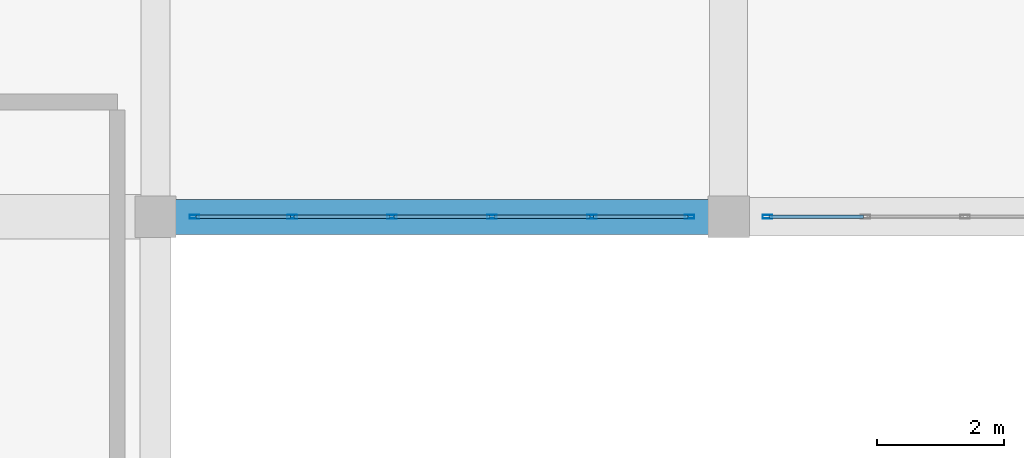
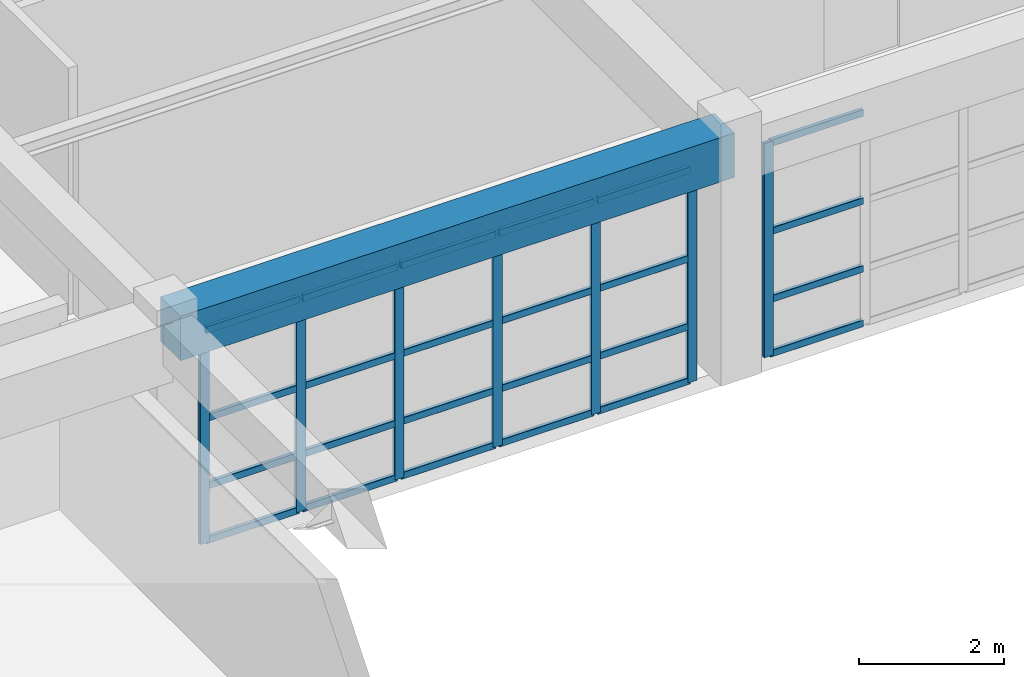
# One storey, part 46 of 133: 31 members, 1 beam, 2 elements without a shape of their own.
"""IFC4 building model written with IfcOpenShell, lengths in metres."""

import ifcopenshell
import ifcopenshell.guid

model = None  # the IFC model being written
_history = None  # IfcOwnerHistory: only IFC2X3 demands one
_inside = {}  # id of a spatial element -> (the spatial element, [elements in it])
_under = {}  # id of a project, library or spatial element -> (it, [spatial elements below it])
_declared = {}  # id of a project -> (the project, [libraries it declares])
_typed = {}  # id of a type object -> (the type object, [elements of that type])
_made_of = {}  # id of a material, layer set ... -> (it, [elements and type objects made of it])


def new_model(schema):
    """Start an empty IFC model of exactly this schema.

    Asked for "IFC4X3", IfcOpenShell would pick the latest addendum, in which some entities
    have other attributes; the version numbers below select the first issue.
    IFC2X3 requires an IfcOwnerHistory on every rooted entity: one is made here for all.
    """
    global model, _history
    if schema == "IFC4X3":
        model = ifcopenshell.file(schema_version=(4, 3, 0, 0))
    else:
        model = ifcopenshell.file(schema=schema)
    _inside.clear()
    _under.clear()
    _declared.clear()
    _typed.clear()
    _made_of.clear()
    _history = None
    if model.schema == "IFC2X3":
        org = make("IfcOrganization", Name="unknown")
        user = make(
            "IfcPersonAndOrganization",
            ThePerson=make("IfcPerson", FamilyName="unknown"),
            TheOrganization=org,
        )
        app = make(
            "IfcApplication",
            ApplicationDeveloper=org,
            Version="unknown",
            ApplicationFullName="unknown",
            ApplicationIdentifier="unknown",
        )
        _history = make(
            "IfcOwnerHistory",
            OwningUser=user,
            OwningApplication=app,
            ChangeAction="ADDED",
            CreationDate=0,
        )
    return model


def make(cls, **values):
    """One entity of the class cls with the attributes given. An attribute that is None is left unset."""
    return model.create_entity(
        cls, **{name: value for name, value in values.items() if value is not None}
    )


def rooted(cls, **values):
    """An entity with a GlobalId (a new one), such as an element, a storey or a relation."""
    return make(cls, GlobalId=ifcopenshell.guid.new(), OwnerHistory=_history, **values)


def si_unit(unit_type, name, prefix=None):
    """IfcSIUnit, for example si_unit("LENGTHUNIT", "METRE", prefix="MILLI")."""
    return make("IfcSIUnit", UnitType=unit_type, Prefix=prefix, Name=name)


def assignment(units):
    """IfcUnitAssignment: the units of a project."""
    return None if units is None else make("IfcUnitAssignment", Units=units)


def point(xyz):
    """IfcCartesianPoint."""
    return None if xyz is None else make("IfcCartesianPoint", Coordinates=xyz)


def direction(xyz):
    """IfcDirection."""
    return None if xyz is None else make("IfcDirection", DirectionRatios=xyz)


def frame(location, z_axis=None, x_axis=None):
    """IfcAxis2Placement3D, a coordinate frame: its origin and axes. An axis left out is left unset."""
    return make(
        "IfcAxis2Placement3D",
        Location=point(location),
        Axis=direction(z_axis),
        RefDirection=direction(x_axis),
    )


def frame_2d(location, x_axis=None):
    """IfcAxis2Placement2D, a coordinate frame in the plane: its origin and x axis."""
    return make(
        "IfcAxis2Placement2D", Location=point(location), RefDirection=direction(x_axis)
    )


def origin():
    """The frame at (0, 0, 0) with its axes left unset."""
    return frame((0.0, 0.0, 0.0))


def origin_2d():
    """The frame at (0, 0) in the plane with its x axis left unset."""
    return frame_2d((0.0, 0.0))


def place(relative_to, where):
    """IfcLocalPlacement: puts the frame where relative to a parent placement (None: the world)."""
    return make(
        "IfcLocalPlacement", PlacementRelTo=relative_to, RelativePlacement=where
    )


def context(
    kind, dimensions, precision=None, world=None, true_north=None, identifier=None
):
    """IfcGeometricRepresentationContext, for example the 3D "Model" context."""
    return make(
        "IfcGeometricRepresentationContext",
        ContextIdentifier=identifier,
        ContextType=kind,
        CoordinateSpaceDimension=dimensions,
        Precision=precision,
        WorldCoordinateSystem=world,
        TrueNorth=true_north,
    )


def subcontext(parent, identifier, kind, view, scale=None):
    """IfcGeometricRepresentationSubContext, for example "Body" below "Model"."""
    return make(
        "IfcGeometricRepresentationSubContext",
        ContextIdentifier=identifier,
        ContextType=kind,
        ParentContext=parent,
        TargetScale=scale,
        TargetView=view,
    )


def project(units=None, contexts=None):
    """IfcProject with its units and contexts."""
    return rooted(
        "IfcProject",
        Name="project",
        RepresentationContexts=contexts,
        UnitsInContext=assignment(units),
    )


def spatial(cls, under=None, at=None, **own):
    """A site, building, storey or space (cls), placed at a placement, below another one or the project."""
    s = rooted(cls, ObjectPlacement=at, **own)
    if under is not None:
        _under.setdefault(under.id(), (under, []))[1].append(s)
    return s


def profile(cls, at=None, kind="AREA", **sizes):
    """A parametric profile (cls). Its sizes go by their IFC names, for example OverallWidth=200.0."""
    return make(cls, ProfileType=kind, Position=at, **sizes)


def rectangle(**sizes):
    """IfcRectangleProfileDef."""
    return profile("IfcRectangleProfileDef", **sizes)


def hollow_rectangle(**sizes):
    """IfcRectangleHollowProfileDef."""
    return profile("IfcRectangleHollowProfileDef", **sizes)


def extrude(swept, where, along, depth):
    """IfcExtrudedAreaSolid: the profile swept, set in the frame where, extruded along a direction by depth."""
    return make(
        "IfcExtrudedAreaSolid",
        SweptArea=swept,
        Position=where,
        ExtrudedDirection=direction(along),
        Depth=depth,
    )


def shape(context_of_items, identifier, shape_type, items):
    """IfcShapeRepresentation: the items that make up one representation, for example the "Body"."""
    return make(
        "IfcShapeRepresentation",
        ContextOfItems=context_of_items,
        RepresentationIdentifier=identifier,
        RepresentationType=shape_type,
        Items=items,
    )


def material(Name=None, Category=None):
    """IfcMaterial."""
    return make("IfcMaterial", Name=Name, Category=Category)


def material_profile(
    of_material, cross_section, Name=None, Category=None, Priority=None
):
    """IfcMaterialProfile: a cross section and its material."""
    return make(
        "IfcMaterialProfile",
        Name=Name,
        Material=of_material,
        Profile=cross_section,
        Priority=Priority,
        Category=Category,
    )


def profile_set(profiles, Name=None, composite=None):
    """IfcMaterialProfileSet."""
    return make(
        "IfcMaterialProfileSet",
        Name=Name,
        MaterialProfiles=profiles,
        CompositeProfile=composite,
    )


def made_of(thing, what):
    """Note that an element or type object is made of a material, layer set ...; save() writes the relation."""
    if what is not None:
        _made_of.setdefault(what.id(), (what, []))[1].append(thing)
    return thing


def type_object(cls, material=None, **own):
    """A type object (cls), such as IfcWallType, which elements share."""
    return made_of(rooted(cls, **own), material)


def element(
    cls,
    number,
    at=None,
    inside=None,
    cuts=None,
    type_object=None,
    material=None,
    context=None,
    identifier="Body",
    shape_type=None,
    held_by="IfcProductDefinitionShape",
    body=None,
    shapes=None,
    **own,
):
    """One element of the class cls, such as IfcWall. Its Tag is "e" and its number.

    at: its placement. inside: the storey or other place that contains it. cuts: it is an
    opening in that element (IfcRelVoidsElement). A single representation is given by context,
    identifier, shape_type and body (its items); several are given by shapes. held_by: the class
    of the entity that holds the representations. save() writes the other relations.
    """
    e = rooted(cls, Tag="e%d" % number, ObjectPlacement=at, **own)
    if body is not None:
        shapes = [shape(context, identifier, shape_type, body)]
    if shapes is not None:
        e.Representation = make(held_by, Representations=shapes)
    if inside is not None:
        _inside.setdefault(inside.id(), (inside, []))[1].append(e)
    if cuts is not None:
        rooted(
            "IfcRelVoidsElement", RelatingBuildingElement=cuts, RelatedOpeningElement=e
        )
    if type_object is not None:
        _typed.setdefault(type_object.id(), (type_object, []))[1].append(e)
    return made_of(e, material)


def aggregate(whole, parts):
    """IfcRelAggregates: a whole, such as a stair, and the parts it consists of."""
    return rooted("IfcRelAggregates", RelatingObject=whole, RelatedObjects=parts)


def save(model, path):
    """Write the relations noted so far, then the file.

    IfcRelAggregates (storeys below a building ...), IfcRelContainedInSpatialStructure (elements
    in a storey), IfcRelDefinesByType, IfcRelAssociatesMaterial and IfcRelDeclares: one each for
    every whole, place, type object, material and project.
    """
    for whole, parts in _under.values():
        aggregate(whole, parts)
    for where, things in _inside.values():
        rooted(
            "IfcRelContainedInSpatialStructure",
            RelatedElements=things,
            RelatingStructure=where,
        )
    for kind, things in _typed.values():
        rooted("IfcRelDefinesByType", RelatedObjects=things, RelatingType=kind)
    for what, things in _made_of.values():
        rooted("IfcRelAssociatesMaterial", RelatedObjects=things, RelatingMaterial=what)
    for by, libraries in _declared.values():
        rooted("IfcRelDeclares", RelatingContext=by, RelatedDefinitions=libraries)
    model.write(path)


model = new_model("IFC4")

# Units and contexts
model_context = context("Model", 3, precision=1e-05, world=origin(), true_north=direction((0.0, 1.0)))
body_context = subcontext(model_context, "Body", "Model", "MODEL_VIEW")
ifc_project = project(units=[si_unit("LENGTHUNIT", "METRE"), si_unit("AREAUNIT", "SQUARE_METRE"), si_unit("VOLUMEUNIT", "CUBIC_METRE"), si_unit("PLANEANGLEUNIT", "RADIAN"), si_unit("MASSUNIT", "GRAM", prefix="KILO")], contexts=[model_context])

# Site, building, storey
site_placement = place(None, origin())
site = spatial("IfcSite", under=ifc_project, at=site_placement, CompositionType="ELEMENT")
building_placement = place(site_placement, origin())
building = spatial("IfcBuilding", under=site, at=building_placement, Name="Miravela Opera House", CompositionType="ELEMENT")
storey_placement = place(building_placement, frame((0.0, 0.0, 5.10009765625)))
storey = spatial("IfcBuildingStorey", under=building, at=storey_placement, Name="L01", CompositionType="ELEMENT", Elevation=5.10009765625)

# Curtain wall, members
ifc_material_1 = material(Name="Anodised architectural bronze aluminium 6063-T6", Category="aluminium")
curtain_wall_type = type_object("IfcCurtainWallType", Name="ARC-CW-06", PredefinedType="NOTDEFINED", material=ifc_material_1)
curtain_wall_1_placement = place(storey_placement, origin())
curtain_wall_1 = element("IfcCurtainWall", 1, at=curtain_wall_1_placement, inside=storey, type_object=curtain_wall_type, Name="Courtyard Arcade Curtain Wall CW-L01-170", PredefinedType="NOTDEFINED")
ifc_material_profile_1 = material_profile(ifc_material_1, hollow_rectangle(XDim=0.06005859375, YDim=0.14990234375, WallThickness=0.00390625, InnerFilletRadius=0.001953125, OuterFilletRadius=0.00390625, at=origin_2d()), Name="CWM-60X150")
ifc_profile_set_1 = profile_set([ifc_material_profile_1])
member_type_1 = type_object("IfcMemberType", Name="ARC-CWM-150", PredefinedType="MULLION", material=ifc_profile_set_1)
member_1_placement = place(storey_placement, frame((117.610107421875, 28.0, 0.0), z_axis=(0.0, 0.0, 1.0), x_axis=(0.0, 1.0, 0.0)))
member_1 = element("IfcMember", 2, at=member_1_placement, type_object=member_type_1, Name="CW-06 mullion 1", PredefinedType="MULLION", context=body_context, shape_type="SweptSolid", body=[
    extrude(hollow_rectangle(XDim=0.06005859375, YDim=0.14990234375, WallThickness=0.00390625, InnerFilletRadius=0.001953125, OuterFilletRadius=0.00390625, at=origin_2d()), origin(), (0.0, 0.0, 1.0), 3.60986328125),
])
member_2_placement = place(storey_placement, frame((119.14794921875, 28.0, 0.0), z_axis=(0.0, 0.0, 1.0), x_axis=(0.0, 1.0, 0.0)))
member_2 = element("IfcMember", 3, at=member_2_placement, type_object=member_type_1, Name="CW-06 mullion 2", PredefinedType="MULLION", context=body_context, shape_type="SweptSolid", body=[
    extrude(hollow_rectangle(XDim=0.06005859375, YDim=0.14990234375, WallThickness=0.00390625, InnerFilletRadius=0.001953125, OuterFilletRadius=0.00390625, at=origin_2d()), origin(), (0.0, 0.0, 1.0), 3.60986328125),
])
member_3_placement = place(storey_placement, frame((120.716064453125, 28.0, 0.0), z_axis=(0.0, 0.0, 1.0), x_axis=(0.0, 1.0, 0.0)))
member_3 = element("IfcMember", 4, at=member_3_placement, type_object=member_type_1, Name="CW-06 mullion 3", PredefinedType="MULLION", context=body_context, shape_type="SweptSolid", body=[
    extrude(hollow_rectangle(XDim=0.06005859375, YDim=0.14990234375, WallThickness=0.00390625, InnerFilletRadius=0.001953125, OuterFilletRadius=0.00390625, at=origin_2d()), origin(), (0.0, 0.0, 1.0), 3.60986328125),
])
member_4_placement = place(storey_placement, frame((122.283935546875, 28.0, 0.0), z_axis=(0.0, 0.0, 1.0), x_axis=(0.0, 1.0, 0.0)))
member_4 = element("IfcMember", 5, at=member_4_placement, type_object=member_type_1, Name="CW-06 mullion 4", PredefinedType="MULLION", context=body_context, shape_type="SweptSolid", body=[
    extrude(hollow_rectangle(XDim=0.06005859375, YDim=0.14990234375, WallThickness=0.00390625, InnerFilletRadius=0.001953125, OuterFilletRadius=0.00390625, at=origin_2d()), origin(), (0.0, 0.0, 1.0), 3.60986328125),
])
member_5_placement = place(storey_placement, frame((123.85205078125, 28.0, 0.0), z_axis=(0.0, 0.0, 1.0), x_axis=(0.0, 1.0, 0.0)))
member_5 = element("IfcMember", 6, at=member_5_placement, type_object=member_type_1, Name="CW-06 mullion 5", PredefinedType="MULLION", context=body_context, shape_type="SweptSolid", body=[
    extrude(hollow_rectangle(XDim=0.06005859375, YDim=0.14990234375, WallThickness=0.00390625, InnerFilletRadius=0.001953125, OuterFilletRadius=0.00390625, at=origin_2d()), origin(), (0.0, 0.0, 1.0), 3.60986328125),
])
member_6_placement = place(storey_placement, frame((125.389892578125, 28.0, 0.0), z_axis=(0.0, 0.0, 1.0), x_axis=(0.0, 1.0, 0.0)))
member_6 = element("IfcMember", 7, at=member_6_placement, type_object=member_type_1, Name="CW-06 mullion 6", PredefinedType="MULLION", context=body_context, shape_type="SweptSolid", body=[
    extrude(hollow_rectangle(XDim=0.06005859375, YDim=0.14990234375, WallThickness=0.00390625, InnerFilletRadius=0.001953125, OuterFilletRadius=0.00390625, at=origin_2d()), origin(), (0.0, 0.0, 1.0), 3.60986328125),
])

# Curtain wall, member
curtain_wall_2_placement = place(storey_placement, origin())
curtain_wall_2 = element("IfcCurtainWall", 8, at=curtain_wall_2_placement, inside=storey, type_object=curtain_wall_type, Name="Courtyard Arcade Curtain Wall CW-L01-174", PredefinedType="NOTDEFINED")
member_7_placement = place(storey_placement, frame((126.610107421875, 28.0, 0.0), z_axis=(0.0, 0.0, 1.0), x_axis=(0.0, 1.0, 0.0)))
member_7 = element("IfcMember", 9, at=member_7_placement, type_object=member_type_1, Name="CW-06 mullion 1", PredefinedType="MULLION", context=body_context, shape_type="SweptSolid", body=[
    extrude(hollow_rectangle(XDim=0.06005859375, YDim=0.14990234375, WallThickness=0.00390625, InnerFilletRadius=0.001953125, OuterFilletRadius=0.00390625, at=origin_2d()), origin(), (0.0, 0.0, 1.0), 3.60986328125),
])

# Member
ifc_material_profile_2 = material_profile(ifc_material_1, hollow_rectangle(XDim=0.06005859375, YDim=0.114990234375, WallThickness=0.00390625, InnerFilletRadius=0.001953125, OuterFilletRadius=0.00390625, at=origin_2d()), Name="CWT-60X115")
ifc_profile_set_2 = profile_set([ifc_material_profile_2])
member_type_2 = type_object("IfcMemberType", Name="ARC-CWT-115", PredefinedType="USERDEFINED", material=ifc_profile_set_2)
member_8_placement = place(storey_placement, frame((117.639892578125, 28.0, 0.02978515625), z_axis=(1.0, 0.0, 0.0), x_axis=(0.0, 1.0, 0.0)))
member_8 = element("IfcMember", 10, at=member_8_placement, type_object=member_type_2, Name="CW-06 transom 1.1", ObjectType="TRANSOM", PredefinedType="USERDEFINED", context=body_context, shape_type="SweptSolid", body=[
    extrude(hollow_rectangle(XDim=0.06005859375, YDim=0.114990234375, WallThickness=0.00390625, InnerFilletRadius=0.001953125, OuterFilletRadius=0.00390625, at=origin_2d()), origin(), (0.0, 0.0, 1.0), 1.47802734375),
])

member_9_placement = place(storey_placement, frame((117.639892578125, 28.0, 0.949951171875), z_axis=(1.0, 0.0, 0.0), x_axis=(0.0, 1.0, 0.0)))
member_9 = element("IfcMember", 11, at=member_9_placement, type_object=member_type_2, Name="CW-06 transom 1.2", ObjectType="TRANSOM", PredefinedType="USERDEFINED", context=body_context, shape_type="SweptSolid", body=[
    extrude(hollow_rectangle(XDim=0.06005859375, YDim=0.114990234375, WallThickness=0.00390625, InnerFilletRadius=0.001953125, OuterFilletRadius=0.00390625, at=origin_2d()), origin(), (0.0, 0.0, 1.0), 1.47802734375),
])

member_10_placement = place(storey_placement, frame((117.639892578125, 28.0, 2.09375), z_axis=(1.0, 0.0, 0.0), x_axis=(0.0, 1.0, 0.0)))
member_10 = element("IfcMember", 12, at=member_10_placement, type_object=member_type_2, Name="CW-06 transom 1.3", ObjectType="TRANSOM", PredefinedType="USERDEFINED", context=body_context, shape_type="SweptSolid", body=[
    extrude(hollow_rectangle(XDim=0.06005859375, YDim=0.114990234375, WallThickness=0.00390625, InnerFilletRadius=0.001953125, OuterFilletRadius=0.00390625, at=origin_2d()), origin(), (0.0, 0.0, 1.0), 1.47802734375),
])

member_11_placement = place(storey_placement, frame((117.639892578125, 28.0, 3.579833984375), z_axis=(1.0, 0.0, 0.0), x_axis=(0.0, 1.0, 0.0)))
member_11 = element("IfcMember", 13, at=member_11_placement, type_object=member_type_2, Name="CW-06 transom 1.4", ObjectType="TRANSOM", PredefinedType="USERDEFINED", context=body_context, shape_type="SweptSolid", body=[
    extrude(hollow_rectangle(XDim=0.06005859375, YDim=0.114990234375, WallThickness=0.00390625, InnerFilletRadius=0.001953125, OuterFilletRadius=0.00390625, at=origin_2d()), origin(), (0.0, 0.0, 1.0), 1.47802734375),
])

member_12_placement = place(storey_placement, frame((119.177978515625, 28.0, 0.02978515625), z_axis=(1.0, 0.0, 0.0), x_axis=(0.0, 1.0, 0.0)))
member_12 = element("IfcMember", 14, at=member_12_placement, type_object=member_type_2, Name="CW-06 transom 2.1", ObjectType="TRANSOM", PredefinedType="USERDEFINED", context=body_context, shape_type="SweptSolid", body=[
    extrude(hollow_rectangle(XDim=0.06005859375, YDim=0.114990234375, WallThickness=0.00390625, InnerFilletRadius=0.001953125, OuterFilletRadius=0.00390625, at=origin_2d()), origin(), (0.0, 0.0, 1.0), 1.508056640625),
])

member_13_placement = place(storey_placement, frame((119.177978515625, 28.0, 0.949951171875), z_axis=(1.0, 0.0, 0.0), x_axis=(0.0, 1.0, 0.0)))
member_13 = element("IfcMember", 15, at=member_13_placement, type_object=member_type_2, Name="CW-06 transom 2.2", ObjectType="TRANSOM", PredefinedType="USERDEFINED", context=body_context, shape_type="SweptSolid", body=[
    extrude(hollow_rectangle(XDim=0.06005859375, YDim=0.114990234375, WallThickness=0.00390625, InnerFilletRadius=0.001953125, OuterFilletRadius=0.00390625, at=origin_2d()), origin(), (0.0, 0.0, 1.0), 1.508056640625),
])

member_14_placement = place(storey_placement, frame((119.177978515625, 28.0, 2.09375), z_axis=(1.0, 0.0, 0.0), x_axis=(0.0, 1.0, 0.0)))
member_14 = element("IfcMember", 16, at=member_14_placement, type_object=member_type_2, Name="CW-06 transom 2.3", ObjectType="TRANSOM", PredefinedType="USERDEFINED", context=body_context, shape_type="SweptSolid", body=[
    extrude(hollow_rectangle(XDim=0.06005859375, YDim=0.114990234375, WallThickness=0.00390625, InnerFilletRadius=0.001953125, OuterFilletRadius=0.00390625, at=origin_2d()), origin(), (0.0, 0.0, 1.0), 1.508056640625),
])

member_15_placement = place(storey_placement, frame((119.177978515625, 28.0, 3.579833984375), z_axis=(1.0, 0.0, 0.0), x_axis=(0.0, 1.0, 0.0)))
member_15 = element("IfcMember", 17, at=member_15_placement, type_object=member_type_2, Name="CW-06 transom 2.4", ObjectType="TRANSOM", PredefinedType="USERDEFINED", context=body_context, shape_type="SweptSolid", body=[
    extrude(hollow_rectangle(XDim=0.06005859375, YDim=0.114990234375, WallThickness=0.00390625, InnerFilletRadius=0.001953125, OuterFilletRadius=0.00390625, at=origin_2d()), origin(), (0.0, 0.0, 1.0), 1.508056640625),
])

member_16_placement = place(storey_placement, frame((120.74609375, 28.0, 0.02978515625), z_axis=(1.0, 0.0, 0.0), x_axis=(0.0, 1.0, 0.0)))
member_16 = element("IfcMember", 18, at=member_16_placement, type_object=member_type_2, Name="CW-06 transom 3.1", ObjectType="TRANSOM", PredefinedType="USERDEFINED", context=body_context, shape_type="SweptSolid", body=[
    extrude(hollow_rectangle(XDim=0.06005859375, YDim=0.114990234375, WallThickness=0.00390625, InnerFilletRadius=0.001953125, OuterFilletRadius=0.00390625, at=origin_2d()), origin(), (0.0, 0.0, 1.0), 1.5078125),
])

member_17_placement = place(storey_placement, frame((120.74609375, 28.0, 0.949951171875), z_axis=(1.0, 0.0, 0.0), x_axis=(0.0, 1.0, 0.0)))
member_17 = element("IfcMember", 19, at=member_17_placement, type_object=member_type_2, Name="CW-06 transom 3.2", ObjectType="TRANSOM", PredefinedType="USERDEFINED", context=body_context, shape_type="SweptSolid", body=[
    extrude(hollow_rectangle(XDim=0.06005859375, YDim=0.114990234375, WallThickness=0.00390625, InnerFilletRadius=0.001953125, OuterFilletRadius=0.00390625, at=origin_2d()), origin(), (0.0, 0.0, 1.0), 1.5078125),
])

member_18_placement = place(storey_placement, frame((120.74609375, 28.0, 2.09375), z_axis=(1.0, 0.0, 0.0), x_axis=(0.0, 1.0, 0.0)))
member_18 = element("IfcMember", 20, at=member_18_placement, type_object=member_type_2, Name="CW-06 transom 3.3", ObjectType="TRANSOM", PredefinedType="USERDEFINED", context=body_context, shape_type="SweptSolid", body=[
    extrude(hollow_rectangle(XDim=0.06005859375, YDim=0.114990234375, WallThickness=0.00390625, InnerFilletRadius=0.001953125, OuterFilletRadius=0.00390625, at=origin_2d()), origin(), (0.0, 0.0, 1.0), 1.5078125),
])

member_19_placement = place(storey_placement, frame((120.74609375, 28.0, 3.579833984375), z_axis=(1.0, 0.0, 0.0), x_axis=(0.0, 1.0, 0.0)))
member_19 = element("IfcMember", 21, at=member_19_placement, type_object=member_type_2, Name="CW-06 transom 3.4", ObjectType="TRANSOM", PredefinedType="USERDEFINED", context=body_context, shape_type="SweptSolid", body=[
    extrude(hollow_rectangle(XDim=0.06005859375, YDim=0.114990234375, WallThickness=0.00390625, InnerFilletRadius=0.001953125, OuterFilletRadius=0.00390625, at=origin_2d()), origin(), (0.0, 0.0, 1.0), 1.5078125),
])

member_20_placement = place(storey_placement, frame((122.31396484375, 28.0, 0.02978515625), z_axis=(1.0, 0.0, 0.0), x_axis=(0.0, 1.0, 0.0)))
member_20 = element("IfcMember", 22, at=member_20_placement, type_object=member_type_2, Name="CW-06 transom 4.1", ObjectType="TRANSOM", PredefinedType="USERDEFINED", context=body_context, shape_type="SweptSolid", body=[
    extrude(hollow_rectangle(XDim=0.06005859375, YDim=0.114990234375, WallThickness=0.00390625, InnerFilletRadius=0.001953125, OuterFilletRadius=0.00390625, at=origin_2d()), origin(), (0.0, 0.0, 1.0), 1.508056640625),
])

member_21_placement = place(storey_placement, frame((122.31396484375, 28.0, 0.949951171875), z_axis=(1.0, 0.0, 0.0), x_axis=(0.0, 1.0, 0.0)))
member_21 = element("IfcMember", 23, at=member_21_placement, type_object=member_type_2, Name="CW-06 transom 4.2", ObjectType="TRANSOM", PredefinedType="USERDEFINED", context=body_context, shape_type="SweptSolid", body=[
    extrude(hollow_rectangle(XDim=0.06005859375, YDim=0.114990234375, WallThickness=0.00390625, InnerFilletRadius=0.001953125, OuterFilletRadius=0.00390625, at=origin_2d()), origin(), (0.0, 0.0, 1.0), 1.508056640625),
])

member_22_placement = place(storey_placement, frame((122.31396484375, 28.0, 2.09375), z_axis=(1.0, 0.0, 0.0), x_axis=(0.0, 1.0, 0.0)))
member_22 = element("IfcMember", 24, at=member_22_placement, type_object=member_type_2, Name="CW-06 transom 4.3", ObjectType="TRANSOM", PredefinedType="USERDEFINED", context=body_context, shape_type="SweptSolid", body=[
    extrude(hollow_rectangle(XDim=0.06005859375, YDim=0.114990234375, WallThickness=0.00390625, InnerFilletRadius=0.001953125, OuterFilletRadius=0.00390625, at=origin_2d()), origin(), (0.0, 0.0, 1.0), 1.508056640625),
])

member_23_placement = place(storey_placement, frame((122.31396484375, 28.0, 3.579833984375), z_axis=(1.0, 0.0, 0.0), x_axis=(0.0, 1.0, 0.0)))
member_23 = element("IfcMember", 25, at=member_23_placement, type_object=member_type_2, Name="CW-06 transom 4.4", ObjectType="TRANSOM", PredefinedType="USERDEFINED", context=body_context, shape_type="SweptSolid", body=[
    extrude(hollow_rectangle(XDim=0.06005859375, YDim=0.114990234375, WallThickness=0.00390625, InnerFilletRadius=0.001953125, OuterFilletRadius=0.00390625, at=origin_2d()), origin(), (0.0, 0.0, 1.0), 1.508056640625),
])

member_24_placement = place(storey_placement, frame((123.882080078125, 28.0, 0.02978515625), z_axis=(1.0, 0.0, 0.0), x_axis=(0.0, 1.0, 0.0)))
member_24 = element("IfcMember", 26, at=member_24_placement, type_object=member_type_2, Name="CW-06 transom 5.1", ObjectType="TRANSOM", PredefinedType="USERDEFINED", context=body_context, shape_type="SweptSolid", body=[
    extrude(hollow_rectangle(XDim=0.06005859375, YDim=0.114990234375, WallThickness=0.00390625, InnerFilletRadius=0.001953125, OuterFilletRadius=0.00390625, at=origin_2d()), origin(), (0.0, 0.0, 1.0), 1.47802734375),
])

member_25_placement = place(storey_placement, frame((123.882080078125, 28.0, 0.949951171875), z_axis=(1.0, 0.0, 0.0), x_axis=(0.0, 1.0, 0.0)))
member_25 = element("IfcMember", 27, at=member_25_placement, type_object=member_type_2, Name="CW-06 transom 5.2", ObjectType="TRANSOM", PredefinedType="USERDEFINED", context=body_context, shape_type="SweptSolid", body=[
    extrude(hollow_rectangle(XDim=0.06005859375, YDim=0.114990234375, WallThickness=0.00390625, InnerFilletRadius=0.001953125, OuterFilletRadius=0.00390625, at=origin_2d()), origin(), (0.0, 0.0, 1.0), 1.47802734375),
])

member_26_placement = place(storey_placement, frame((123.882080078125, 28.0, 2.09375), z_axis=(1.0, 0.0, 0.0), x_axis=(0.0, 1.0, 0.0)))
member_26 = element("IfcMember", 28, at=member_26_placement, type_object=member_type_2, Name="CW-06 transom 5.3", ObjectType="TRANSOM", PredefinedType="USERDEFINED", context=body_context, shape_type="SweptSolid", body=[
    extrude(hollow_rectangle(XDim=0.06005859375, YDim=0.114990234375, WallThickness=0.00390625, InnerFilletRadius=0.001953125, OuterFilletRadius=0.00390625, at=origin_2d()), origin(), (0.0, 0.0, 1.0), 1.47802734375),
])

member_27_placement = place(storey_placement, frame((123.882080078125, 28.0, 3.579833984375), z_axis=(1.0, 0.0, 0.0), x_axis=(0.0, 1.0, 0.0)))
member_27 = element("IfcMember", 29, at=member_27_placement, type_object=member_type_2, Name="CW-06 transom 5.4", ObjectType="TRANSOM", PredefinedType="USERDEFINED", context=body_context, shape_type="SweptSolid", body=[
    extrude(hollow_rectangle(XDim=0.06005859375, YDim=0.114990234375, WallThickness=0.00390625, InnerFilletRadius=0.001953125, OuterFilletRadius=0.00390625, at=origin_2d()), origin(), (0.0, 0.0, 1.0), 1.47802734375),
])

aggregate(curtain_wall_1, [member_1, member_2, member_3, member_4, member_5, member_6, member_8, member_9, member_10, member_11, member_12, member_13, member_14, member_15, member_16, member_17, member_18, member_19, member_20, member_21, member_22, member_23, member_24, member_25, member_26, member_27])

member_28_placement = place(storey_placement, frame((126.639892578125, 28.0, 0.02978515625), z_axis=(1.0, 0.0, 0.0), x_axis=(0.0, 1.0, 0.0)))
member_28 = element("IfcMember", 30, at=member_28_placement, type_object=member_type_2, Name="CW-06 transom 1.1", ObjectType="TRANSOM", PredefinedType="USERDEFINED", context=body_context, shape_type="SweptSolid", body=[
    extrude(hollow_rectangle(XDim=0.06005859375, YDim=0.114990234375, WallThickness=0.00390625, InnerFilletRadius=0.001953125, OuterFilletRadius=0.00390625, at=origin_2d()), origin(), (0.0, 0.0, 1.0), 1.47802734375),
])

member_29_placement = place(storey_placement, frame((126.639892578125, 28.0, 0.949951171875), z_axis=(1.0, 0.0, 0.0), x_axis=(0.0, 1.0, 0.0)))
member_29 = element("IfcMember", 31, at=member_29_placement, type_object=member_type_2, Name="CW-06 transom 1.2", ObjectType="TRANSOM", PredefinedType="USERDEFINED", context=body_context, shape_type="SweptSolid", body=[
    extrude(hollow_rectangle(XDim=0.06005859375, YDim=0.114990234375, WallThickness=0.00390625, InnerFilletRadius=0.001953125, OuterFilletRadius=0.00390625, at=origin_2d()), origin(), (0.0, 0.0, 1.0), 1.47802734375),
])

member_30_placement = place(storey_placement, frame((126.639892578125, 28.0, 2.09375), z_axis=(1.0, 0.0, 0.0), x_axis=(0.0, 1.0, 0.0)))
member_30 = element("IfcMember", 32, at=member_30_placement, type_object=member_type_2, Name="CW-06 transom 1.3", ObjectType="TRANSOM", PredefinedType="USERDEFINED", context=body_context, shape_type="SweptSolid", body=[
    extrude(hollow_rectangle(XDim=0.06005859375, YDim=0.114990234375, WallThickness=0.00390625, InnerFilletRadius=0.001953125, OuterFilletRadius=0.00390625, at=origin_2d()), origin(), (0.0, 0.0, 1.0), 1.47802734375),
])

member_31_placement = place(storey_placement, frame((126.639892578125, 28.0, 3.579833984375), z_axis=(1.0, 0.0, 0.0), x_axis=(0.0, 1.0, 0.0)))
member_31 = element("IfcMember", 33, at=member_31_placement, type_object=member_type_2, Name="CW-06 transom 1.4", ObjectType="TRANSOM", PredefinedType="USERDEFINED", context=body_context, shape_type="SweptSolid", body=[
    extrude(hollow_rectangle(XDim=0.06005859375, YDim=0.114990234375, WallThickness=0.00390625, InnerFilletRadius=0.001953125, OuterFilletRadius=0.00390625, at=origin_2d()), origin(), (0.0, 0.0, 1.0), 1.47802734375),
])

aggregate(curtain_wall_2, [member_7, member_28, member_29, member_30, member_31])

# Beam
ifc_material_2 = material(Name="Concrete C35/45", Category="concrete")
ifc_material_profile_3 = material_profile(ifc_material_2, rectangle(XDim=0.550048828125, YDim=0.75, at=origin_2d()), Name="RC-BM-550X750")
ifc_profile_set_3 = profile_set([ifc_material_profile_3])
beam_type = type_object("IfcBeamType", Name="STR-BM-RC550X750", PredefinedType="BEAM", material=ifc_profile_set_3)
beam_placement = place(storey_placement, frame((117.080078125, 28.0, 3.784912109375), z_axis=(1.0, 0.0, 0.0), x_axis=(0.0, 1.0, 0.0)))
element("IfcBeam", 34, at=beam_placement, inside=storey, type_object=beam_type, Name="Floor Girder L01 14-15/D", PredefinedType="BEAM", context=body_context, shape_type="SweptSolid", body=[
    extrude(rectangle(XDim=0.550048828125, YDim=0.75, at=origin_2d()), origin(), (0.0, 0.0, 1.0), 8.83984375),
])

save(model, "model.ifc")
